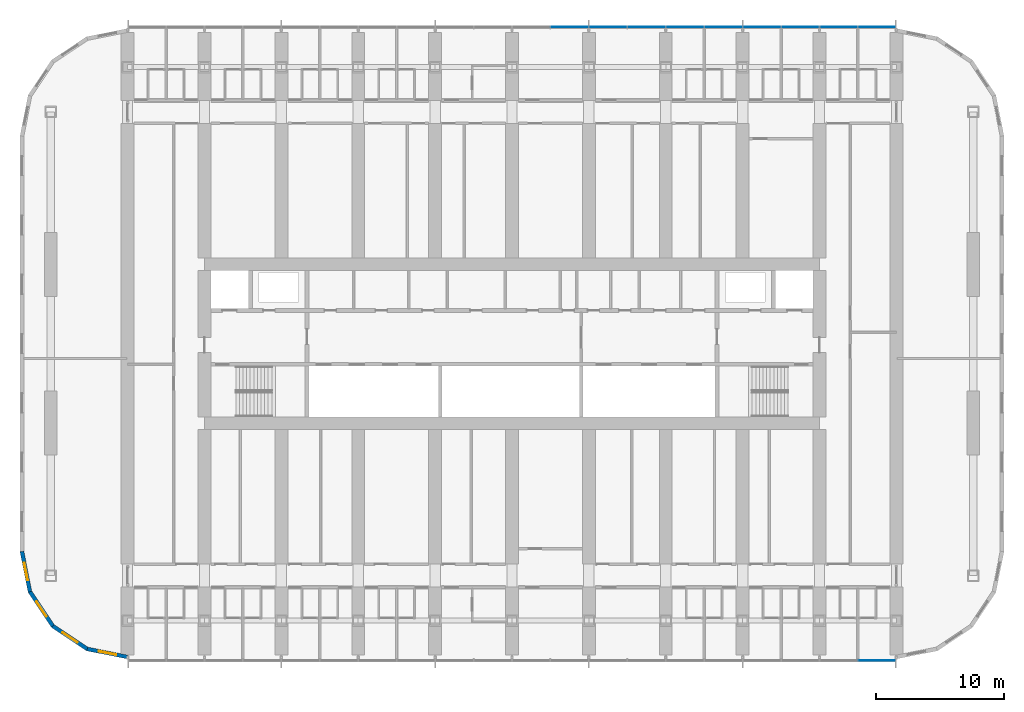
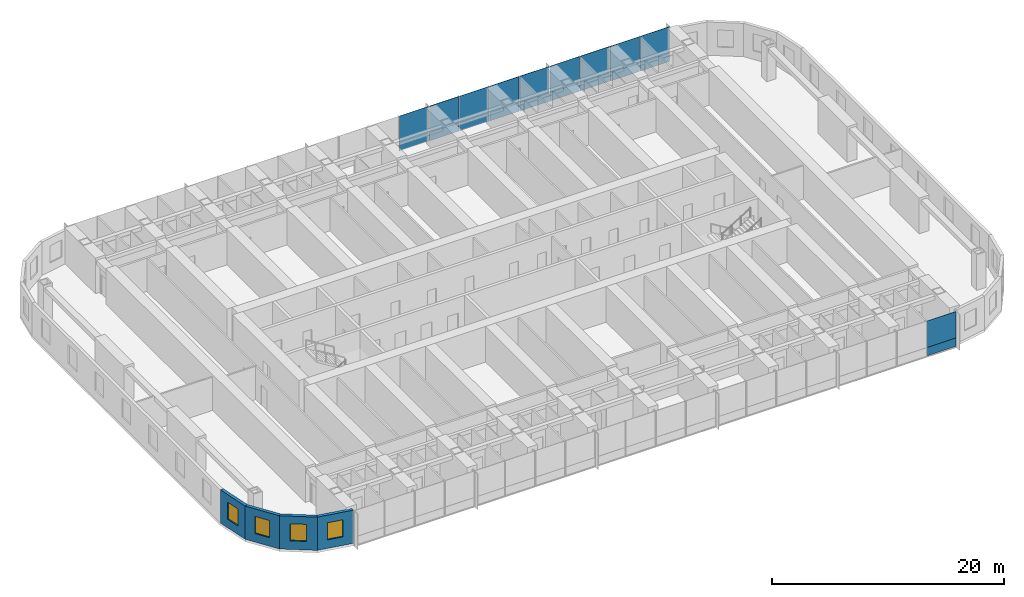
# One storey, part 9 of 25: 20 plates, 4 walls, 4 windows, 4 openings, 2 elements without a shape of their own.
"""IFC4 building model written with IfcOpenShell, lengths in metres."""

from ifc_helpers import new_model, si_unit, direction, frame, frame_2d, origin, origin_2d, place, context, subcontext, project, spatial, polyline, rectangle, outline, extrude, material, layer, layer_set, type_object, element, fill, aggregate, save


model = new_model("IFC4")

# Units and contexts
model_context = context("Model", 3, precision=1e-05, world=origin(), true_north=direction((0.0, 1.0)))
body_context = subcontext(model_context, "Body", "Model", "MODEL_VIEW")
ifc_project = project(units=[si_unit("LENGTHUNIT", "METRE"), si_unit("AREAUNIT", "SQUARE_METRE"), si_unit("VOLUMEUNIT", "CUBIC_METRE"), si_unit("PLANEANGLEUNIT", "RADIAN"), si_unit("MASSUNIT", "GRAM", prefix="KILO")], contexts=[model_context])

# Site, building, storey
site_placement = place(None, origin())
site = spatial("IfcSite", under=ifc_project, at=site_placement, CompositionType="ELEMENT")
building_placement = place(site_placement, origin())
building = spatial("IfcBuilding", under=site, at=building_placement, Name="Orbita Commons", CompositionType="ELEMENT")
storey_placement = place(building_placement, frame((0.0, 0.0, 31.449951171875)))
storey = spatial("IfcBuildingStorey", under=building, at=storey_placement, Name="L07", CompositionType="ELEMENT", Elevation=31.449951171875)

# Curtain wall, plate
ifc_material_1 = material(Name="Anodised aluminium frame, pale silver", Category="aluminium")
curtain_wall_type = type_object("IfcCurtainWallType", Name="Unitised curtain wall CW-T, vision and spandrel", PredefinedType="NOTDEFINED", material=ifc_material_1)
curtain_wall_1_placement = place(storey_placement, origin())
curtain_wall_1 = element("IfcCurtainWall", 1, at=curtain_wall_1_placement, inside=storey, type_object=curtain_wall_type, Name="Curtain wall south L07", PredefinedType="NOTDEFINED")
ifc_material_2 = material(Name="Anodised aluminium sheet on mineral wool", Category="aluminium")
ifc_layer_1 = layer(ifc_material_2, 0.050048828125)
ifc_layer_set_1 = layer_set([ifc_layer_1], Name="Anodised aluminium sheet on mineral wool")
plate_type_1 = type_object("IfcPlateType", Name="Spandrel panel, pale aluminium over insulation 50", PredefinedType="CURTAIN_PANEL", material=ifc_layer_set_1)
plate_1_placement = place(storey_placement, frame((70.47998046875, 7.2900390625, -0.14990234375), z_axis=(0.0, 0.0, 1.0), x_axis=(1.0, 0.0, 0.0)))
plate_1 = element("IfcPlate", 2, at=plate_1_placement, type_object=plate_type_1, Name="Panel 20.1 CW-L07-S", PredefinedType="CURTAIN_PANEL", context=body_context, shape_type="SweptSolid", body=[
    extrude(rectangle(XDim=2.8798828125, YDim=0.050048828125, at=origin_2d()), origin(), (0.0, 0.0, 1.0), 0.875),
])

# Curtain wall, plates
curtain_wall_2_placement = place(storey_placement, origin())
curtain_wall_2 = element("IfcCurtainWall", 3, at=curtain_wall_2_placement, inside=storey, type_object=curtain_wall_type, Name="Curtain wall north L07", PredefinedType="NOTDEFINED")
plate_2_placement = place(storey_placement, frame((70.47998046875, 56.7099609375, -0.14990234375), z_axis=(0.0, 0.0, 1.0), x_axis=(-1.0, 0.0, 0.0)))
plate_2 = element("IfcPlate", 4, at=plate_2_placement, type_object=plate_type_1, Name="Panel 1.1 CW-L07-N", PredefinedType="CURTAIN_PANEL", context=body_context, shape_type="SweptSolid", body=[
    extrude(rectangle(XDim=2.8798828125, YDim=0.050048828125, at=origin_2d()), origin(), (0.0, 0.0, 1.0), 0.875),
])
plate_3_placement = place(storey_placement, frame((67.5, 56.7099609375, -0.14990234375), z_axis=(0.0, 0.0, 1.0), x_axis=(-1.0, 0.0, 0.0)))
plate_3 = element("IfcPlate", 5, at=plate_3_placement, type_object=plate_type_1, Name="Panel 2.1 CW-L07-N", PredefinedType="CURTAIN_PANEL", context=body_context, shape_type="SweptSolid", body=[
    extrude(rectangle(XDim=2.919921875, YDim=0.050048828125, at=origin_2d()), origin(), (0.0, 0.0, 1.0), 0.875),
])
plate_4_placement = place(storey_placement, frame((64.5, 56.7099609375, -0.14990234375), z_axis=(0.0, 0.0, 1.0), x_axis=(-1.0, 0.0, 0.0)))
plate_4 = element("IfcPlate", 6, at=plate_4_placement, type_object=plate_type_1, Name="Panel 3.1 CW-L07-N", PredefinedType="CURTAIN_PANEL", context=body_context, shape_type="SweptSolid", body=[
    extrude(rectangle(XDim=2.919921875, YDim=0.050048828125, at=origin_2d()), origin(), (0.0, 0.0, 1.0), 0.875),
])
plate_5_placement = place(storey_placement, frame((61.5, 56.7099609375, -0.14990234375), z_axis=(0.0, 0.0, 1.0), x_axis=(-1.0, 0.0, 0.0)))
plate_5 = element("IfcPlate", 7, at=plate_5_placement, type_object=plate_type_1, Name="Panel 4.1 CW-L07-N", PredefinedType="CURTAIN_PANEL", context=body_context, shape_type="SweptSolid", body=[
    extrude(rectangle(XDim=2.919921875, YDim=0.050048828125, at=origin_2d()), origin(), (0.0, 0.0, 1.0), 0.875),
])
plate_6_placement = place(storey_placement, frame((58.5, 56.7099609375, -0.14990234375), z_axis=(0.0, 0.0, 1.0), x_axis=(-1.0, 0.0, 0.0)))
plate_6 = element("IfcPlate", 8, at=plate_6_placement, type_object=plate_type_1, Name="Panel 5.1 CW-L07-N", PredefinedType="CURTAIN_PANEL", context=body_context, shape_type="SweptSolid", body=[
    extrude(rectangle(XDim=2.919921875, YDim=0.050048828125, at=origin_2d()), origin(), (0.0, 0.0, 1.0), 0.875),
])
plate_7_placement = place(storey_placement, frame((55.5, 56.7099609375, -0.14990234375), z_axis=(0.0, 0.0, 1.0), x_axis=(-1.0, 0.0, 0.0)))
plate_7 = element("IfcPlate", 9, at=plate_7_placement, type_object=plate_type_1, Name="Panel 6.1 CW-L07-N", PredefinedType="CURTAIN_PANEL", context=body_context, shape_type="SweptSolid", body=[
    extrude(rectangle(XDim=2.919921875, YDim=0.050048828125, at=origin_2d()), origin(), (0.0, 0.0, 1.0), 0.875),
])
plate_8_placement = place(storey_placement, frame((52.5, 56.7099609375, -0.14990234375), z_axis=(0.0, 0.0, 1.0), x_axis=(-1.0, 0.0, 0.0)))
plate_8 = element("IfcPlate", 10, at=plate_8_placement, type_object=plate_type_1, Name="Panel 7.1 CW-L07-N", PredefinedType="CURTAIN_PANEL", context=body_context, shape_type="SweptSolid", body=[
    extrude(rectangle(XDim=2.919921875, YDim=0.050048828125, at=origin_2d()), origin(), (0.0, 0.0, 1.0), 0.875),
])
plate_9_placement = place(storey_placement, frame((49.5, 56.7099609375, -0.14990234375), z_axis=(0.0, 0.0, 1.0), x_axis=(-1.0, 0.0, 0.0)))
plate_9 = element("IfcPlate", 11, at=plate_9_placement, type_object=plate_type_1, Name="Panel 8.1 CW-L07-N", PredefinedType="CURTAIN_PANEL", context=body_context, shape_type="SweptSolid", body=[
    extrude(rectangle(XDim=2.919921875, YDim=0.050048828125, at=origin_2d()), origin(), (0.0, 0.0, 1.0), 0.875),
])
plate_10_placement = place(storey_placement, frame((46.5, 56.7099609375, -0.14990234375), z_axis=(0.0, 0.0, 1.0), x_axis=(-1.0, 0.0, 0.0)))
plate_10 = element("IfcPlate", 12, at=plate_10_placement, type_object=plate_type_1, Name="Panel 9.1 CW-L07-N", PredefinedType="CURTAIN_PANEL", context=body_context, shape_type="SweptSolid", body=[
    extrude(rectangle(XDim=2.919921875, YDim=0.050048828125, at=origin_2d()), origin(), (0.0, 0.0, 1.0), 0.875),
])

# Plate
ifc_material_3 = material(Name="Clear double glazing", Category="glass")
ifc_layer_2 = layer(ifc_material_3, 0.031982421875)
ifc_layer_set_2 = layer_set([ifc_layer_2], Name="Clear double glazing")
plate_type_2 = type_object("IfcPlateType", Name="Vision panel, clear double glazing 32", PredefinedType="CURTAIN_PANEL", material=ifc_layer_set_2)
plate_11_placement = place(storey_placement, frame((70.47998046875, 7.2900390625, 0.72509765625), z_axis=(0.0, 0.0, 1.0), x_axis=(1.0, 0.0, 0.0)))
plate_11 = element("IfcPlate", 13, at=plate_11_placement, type_object=plate_type_2, Name="Panel 20.2 CW-L07-S", PredefinedType="CURTAIN_PANEL", context=body_context, shape_type="SweptSolid", body=[
    extrude(rectangle(XDim=2.8798828125, YDim=0.031982421875, at=origin_2d()), origin(), (0.0, 0.0, 1.0), 2.77490234375),
])

aggregate(curtain_wall_1, [plate_1, plate_11])

plate_12_placement = place(storey_placement, frame((70.47998046875, 56.7099609375, 0.72509765625), z_axis=(0.0, 0.0, 1.0), x_axis=(-1.0, 0.0, 0.0)))
plate_12 = element("IfcPlate", 14, at=plate_12_placement, type_object=plate_type_2, Name="Panel 1.2 CW-L07-N", PredefinedType="CURTAIN_PANEL", context=body_context, shape_type="SweptSolid", body=[
    extrude(rectangle(XDim=2.8798828125, YDim=0.031982421875, at=origin_2d()), origin(), (0.0, 0.0, 1.0), 2.77490234375),
])

plate_13_placement = place(storey_placement, frame((67.5, 56.7099609375, 0.72509765625), z_axis=(0.0, 0.0, 1.0), x_axis=(-1.0, 0.0, 0.0)))
plate_13 = element("IfcPlate", 15, at=plate_13_placement, type_object=plate_type_2, Name="Panel 2.2 CW-L07-N", PredefinedType="CURTAIN_PANEL", context=body_context, shape_type="SweptSolid", body=[
    extrude(rectangle(XDim=2.919921875, YDim=0.031982421875, at=origin_2d()), origin(), (0.0, 0.0, 1.0), 2.77490234375),
])

plate_14_placement = place(storey_placement, frame((64.5, 56.7099609375, 0.72509765625), z_axis=(0.0, 0.0, 1.0), x_axis=(-1.0, 0.0, 0.0)))
plate_14 = element("IfcPlate", 16, at=plate_14_placement, type_object=plate_type_2, Name="Panel 3.2 CW-L07-N", PredefinedType="CURTAIN_PANEL", context=body_context, shape_type="SweptSolid", body=[
    extrude(rectangle(XDim=2.919921875, YDim=0.031982421875, at=origin_2d()), origin(), (0.0, 0.0, 1.0), 2.77490234375),
])

plate_15_placement = place(storey_placement, frame((61.5, 56.7099609375, 0.72509765625), z_axis=(0.0, 0.0, 1.0), x_axis=(-1.0, 0.0, 0.0)))
plate_15 = element("IfcPlate", 17, at=plate_15_placement, type_object=plate_type_2, Name="Panel 4.2 CW-L07-N", PredefinedType="CURTAIN_PANEL", context=body_context, shape_type="SweptSolid", body=[
    extrude(rectangle(XDim=2.919921875, YDim=0.031982421875, at=origin_2d()), origin(), (0.0, 0.0, 1.0), 2.77490234375),
])

plate_16_placement = place(storey_placement, frame((58.5, 56.7099609375, 0.72509765625), z_axis=(0.0, 0.0, 1.0), x_axis=(-1.0, 0.0, 0.0)))
plate_16 = element("IfcPlate", 18, at=plate_16_placement, type_object=plate_type_2, Name="Panel 5.2 CW-L07-N", PredefinedType="CURTAIN_PANEL", context=body_context, shape_type="SweptSolid", body=[
    extrude(rectangle(XDim=2.919921875, YDim=0.031982421875, at=origin_2d()), origin(), (0.0, 0.0, 1.0), 2.77490234375),
])

plate_17_placement = place(storey_placement, frame((55.5, 56.7099609375, 0.72509765625), z_axis=(0.0, 0.0, 1.0), x_axis=(-1.0, 0.0, 0.0)))
plate_17 = element("IfcPlate", 19, at=plate_17_placement, type_object=plate_type_2, Name="Panel 6.2 CW-L07-N", PredefinedType="CURTAIN_PANEL", context=body_context, shape_type="SweptSolid", body=[
    extrude(rectangle(XDim=2.919921875, YDim=0.031982421875, at=origin_2d()), origin(), (0.0, 0.0, 1.0), 2.77490234375),
])

plate_18_placement = place(storey_placement, frame((52.5, 56.7099609375, 0.72509765625), z_axis=(0.0, 0.0, 1.0), x_axis=(-1.0, 0.0, 0.0)))
plate_18 = element("IfcPlate", 20, at=plate_18_placement, type_object=plate_type_2, Name="Panel 7.2 CW-L07-N", PredefinedType="CURTAIN_PANEL", context=body_context, shape_type="SweptSolid", body=[
    extrude(rectangle(XDim=2.919921875, YDim=0.031982421875, at=origin_2d()), origin(), (0.0, 0.0, 1.0), 2.77490234375),
])

plate_19_placement = place(storey_placement, frame((49.5, 56.7099609375, 0.72509765625), z_axis=(0.0, 0.0, 1.0), x_axis=(-1.0, 0.0, 0.0)))
plate_19 = element("IfcPlate", 21, at=plate_19_placement, type_object=plate_type_2, Name="Panel 8.2 CW-L07-N", PredefinedType="CURTAIN_PANEL", context=body_context, shape_type="SweptSolid", body=[
    extrude(rectangle(XDim=2.919921875, YDim=0.031982421875, at=origin_2d()), origin(), (0.0, 0.0, 1.0), 2.77490234375),
])

plate_20_placement = place(storey_placement, frame((46.5, 56.7099609375, 0.72509765625), z_axis=(0.0, 0.0, 1.0), x_axis=(-1.0, 0.0, 0.0)))
plate_20 = element("IfcPlate", 22, at=plate_20_placement, type_object=plate_type_2, Name="Panel 9.2 CW-L07-N", PredefinedType="CURTAIN_PANEL", context=body_context, shape_type="SweptSolid", body=[
    extrude(rectangle(XDim=2.919921875, YDim=0.031982421875, at=origin_2d()), origin(), (0.0, 0.0, 1.0), 2.77490234375),
])

aggregate(curtain_wall_2, [plate_2, plate_12, plate_3, plate_13, plate_4, plate_14, plate_5, plate_15, plate_6, plate_16, plate_7, plate_17, plate_8, plate_18, plate_9, plate_19, plate_10, plate_20])

# Wall, opening, window
ifc_material_4 = material(Name="Precast concrete C40/50, white board-marked finish", Category="concrete")
ifc_layer_3 = layer(ifc_material_4, 0.300048828125)
ifc_layer_set_3 = layer_set([ifc_layer_3], Name="Precast concrete C40/50, white board-marked finish")
wall_type = type_object("IfcWallType", Name="Precast concrete end shield 300", PredefinedType="SOLIDWALL", material=ifc_layer_set_3)
wall_1_placement = place(storey_placement, frame((3.75, 15.800048828125, 0.0), z_axis=(0.0, 0.0, 1.0), x_axis=(0.195065901187, -0.980790137692, 0.0)))
wall_1 = element("IfcWall", 23, at=wall_1_placement, inside=storey, type_object=wall_type, Name="End shield SW chord 1 L07", PredefinedType="SOLIDWALL", context=body_context, shape_type="SweptSolid", body=[
    extrude(outline(polyline([(-0.014892578125, -0.14990234375), (3.248779296875, -0.14990234375), (3.189208984375, 0.14990234375), (0.014892578125, 0.14990234375), (-0.014892578125, -0.14990234375)])), origin(), (0.0, 0.0, 1.0), 3.5),
])
opening_1_placement = place(wall_1_placement, frame((0.909423828125, 0.0, 0.89990234375)))
opening_1 = element("IfcOpeningElement", 24, at=opening_1_placement, cuts=wall_1, Name="Opening W02", PredefinedType="OPENING", context=body_context, shape_type="SweptSolid", body=[
    extrude(rectangle(XDim=1.39990234375, YDim=1.800048828125, at=frame_2d((0.699951171875, 0.89990234375))), frame((0.0, 0.159912109375, 0.0), z_axis=(0.0, -1.0, 0.0), x_axis=(1.0, 0.0, 0.0)), (0.0, 0.0, 1.0), 0.320068359375),
])
ifc_material_5 = material(Name="Aluminium frame, clear double glazing", Category="aluminium")
window_type = type_object("IfcWindowType", Name="Deep-set window 1400x1800", PartitioningType="SINGLE_PANEL", PredefinedType="WINDOW", material=ifc_material_5)
window_1_placement = place(opening_1_placement, origin())
window_1 = element("IfcWindow", 25, at=window_1_placement, inside=storey, type_object=window_type, Name="Window L07-SW0", OverallHeight=1.800048828125, OverallWidth=1.39990234375, PartitioningType="SINGLE_PANEL", PredefinedType="WINDOW", context=body_context, shape_type="SweptSolid", body=[
    extrude(rectangle(XDim=1.39990234375, YDim=1.800048828125, at=frame_2d((0.699951171875, 0.89990234375))), frame((0.0, 0.030029296875, 0.0), z_axis=(0.0, -1.0, 0.0), x_axis=(1.0, 0.0, 0.0)), (0.0, 0.0, 1.0), 0.06005859375),
])
fill(opening_1, window_1)

wall_2_placement = place(storey_placement, frame((4.3779296875, 12.642822265625, 0.0), z_axis=(0.0, 0.0, 1.0), x_axis=(0.555609954424, -0.831443069936, 0.0)))
wall_2 = element("IfcWall", 26, at=wall_2_placement, inside=storey, type_object=wall_type, Name="End shield SW chord 2 L07", PredefinedType="SOLIDWALL", context=body_context, shape_type="SweptSolid", body=[
    extrude(outline(polyline([(-0.02978515625, -0.14990234375), (3.2490234375, -0.14990234375), (3.189453125, 0.14990234375), (0.02978515625, 0.14990234375), (-0.02978515625, -0.14990234375)])), origin(), (0.0, 0.0, 1.0), 3.5),
])
opening_2_placement = place(wall_2_placement, frame((0.909423828125, 0.0, 0.89990234375)))
opening_2 = element("IfcOpeningElement", 27, at=opening_2_placement, cuts=wall_2, Name="Opening W02", PredefinedType="OPENING", context=body_context, shape_type="SweptSolid", body=[
    extrude(rectangle(XDim=1.39990234375, YDim=1.800048828125, at=frame_2d((0.699951171875, 0.89990234375))), frame((0.0, 0.159912109375, 0.0), z_axis=(0.0, -1.0, 0.0), x_axis=(1.0, 0.0, 0.0)), (0.0, 0.0, 1.0), 0.320068359375),
])
window_2_placement = place(opening_2_placement, origin())
window_2 = element("IfcWindow", 28, at=window_2_placement, inside=storey, type_object=window_type, Name="Window L07-SW1", OverallHeight=1.800048828125, OverallWidth=1.39990234375, PartitioningType="SINGLE_PANEL", PredefinedType="WINDOW", context=body_context, shape_type="SweptSolid", body=[
    extrude(rectangle(XDim=1.39990234375, YDim=1.800048828125, at=frame_2d((0.699951171875, 0.89990234375))), frame((0.0, 0.030029296875, 0.0), z_axis=(0.0, -1.0, 0.0), x_axis=(1.0, 0.0, 0.0)), (0.0, 0.0, 1.0), 0.06005859375),
])
fill(opening_2, window_2)

wall_3_placement = place(storey_placement, frame((6.16650390625, 9.96630859375, 0.0), z_axis=(0.0, 0.0, 1.0), x_axis=(0.831478105043, -0.555557522525, 0.0)))
wall_3 = element("IfcWall", 29, at=wall_3_placement, inside=storey, type_object=wall_type, Name="End shield SW chord 3 L07", PredefinedType="SOLIDWALL", context=body_context, shape_type="SweptSolid", body=[
    extrude(outline(polyline([(-0.02978515625, -0.14990234375), (3.248779296875, -0.14990234375), (3.189208984375, 0.14990234375), (0.02978515625, 0.14990234375), (-0.02978515625, -0.14990234375)])), origin(), (0.0, 0.0, 1.0), 3.5),
])
opening_3_placement = place(wall_3_placement, frame((0.909423828125, 0.0, 0.89990234375)))
opening_3 = element("IfcOpeningElement", 30, at=opening_3_placement, cuts=wall_3, Name="Opening W02", PredefinedType="OPENING", context=body_context, shape_type="SweptSolid", body=[
    extrude(rectangle(XDim=1.39990234375, YDim=1.800048828125, at=frame_2d((0.699951171875, 0.89990234375))), frame((0.0, 0.159912109375, 0.0), z_axis=(0.0, -1.0, 0.0), x_axis=(1.0, 0.0, 0.0)), (0.0, 0.0, 1.0), 0.320068359375),
])
window_3_placement = place(opening_3_placement, origin())
window_3 = element("IfcWindow", 31, at=window_3_placement, inside=storey, type_object=window_type, Name="Window L07-SW2", OverallHeight=1.800048828125, OverallWidth=1.39990234375, PartitioningType="SINGLE_PANEL", PredefinedType="WINDOW", context=body_context, shape_type="SweptSolid", body=[
    extrude(rectangle(XDim=1.39990234375, YDim=1.800048828125, at=frame_2d((0.699951171875, 0.89990234375))), frame((0.0, 0.030029296875, 0.0), z_axis=(0.0, -1.0, 0.0), x_axis=(1.0, 0.0, 0.0)), (0.0, 0.0, 1.0), 0.06005859375),
])
fill(opening_3, window_3)

wall_4_placement = place(storey_placement, frame((8.843017578125, 8.177978515625, 0.0), z_axis=(0.0, 0.0, 1.0), x_axis=(0.980787251524, -0.195080412259, 0.0)))
wall_4 = element("IfcWall", 32, at=wall_4_placement, inside=storey, type_object=wall_type, Name="End shield SW chord 4 L07", PredefinedType="SOLIDWALL", context=body_context, shape_type="SweptSolid", body=[
    extrude(outline(polyline([(-0.02978515625, -0.14990234375), (3.24853515625, -0.14990234375), (3.18896484375, 0.14990234375), (0.02978515625, 0.14990234375), (-0.02978515625, -0.14990234375)])), origin(), (0.0, 0.0, 1.0), 3.5),
])
opening_4_placement = place(wall_4_placement, frame((0.909423828125, 0.0, 0.89990234375)))
opening_4 = element("IfcOpeningElement", 33, at=opening_4_placement, cuts=wall_4, Name="Opening W02", PredefinedType="OPENING", context=body_context, shape_type="SweptSolid", body=[
    extrude(rectangle(XDim=1.39990234375, YDim=1.800048828125, at=frame_2d((0.699951171875, 0.89990234375))), frame((0.0, 0.159912109375, 0.0), z_axis=(0.0, -1.0, 0.0), x_axis=(1.0, 0.0, 0.0)), (0.0, 0.0, 1.0), 0.320068359375),
])
window_4_placement = place(opening_4_placement, origin())
window_4 = element("IfcWindow", 34, at=window_4_placement, inside=storey, type_object=window_type, Name="Window L07-SW3", OverallHeight=1.800048828125, OverallWidth=1.39990234375, PartitioningType="SINGLE_PANEL", PredefinedType="WINDOW", context=body_context, shape_type="SweptSolid", body=[
    extrude(rectangle(XDim=1.39990234375, YDim=1.800048828125, at=frame_2d((0.699951171875, 0.89990234375))), frame((0.0, 0.030029296875, 0.0), z_axis=(0.0, -1.0, 0.0), x_axis=(1.0, 0.0, 0.0)), (0.0, 0.0, 1.0), 0.06005859375),
])
fill(opening_4, window_4)

save(model, "model.ifc")
